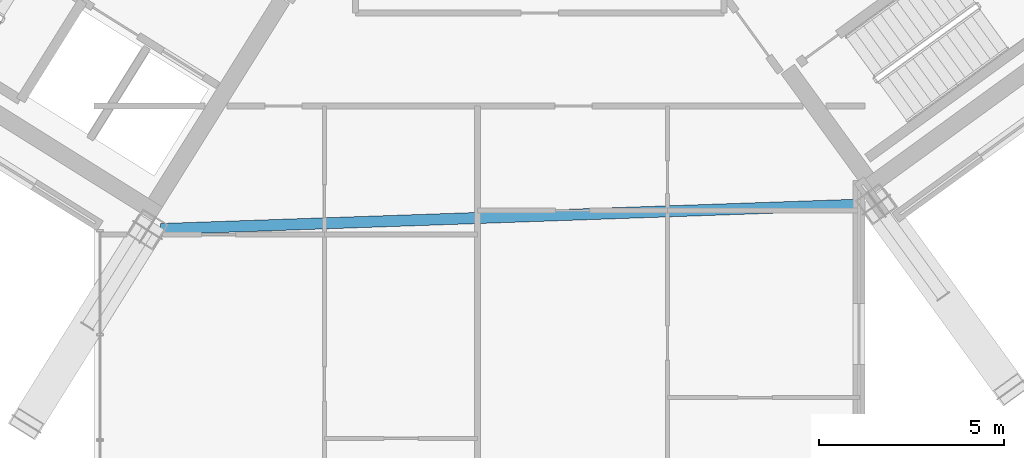
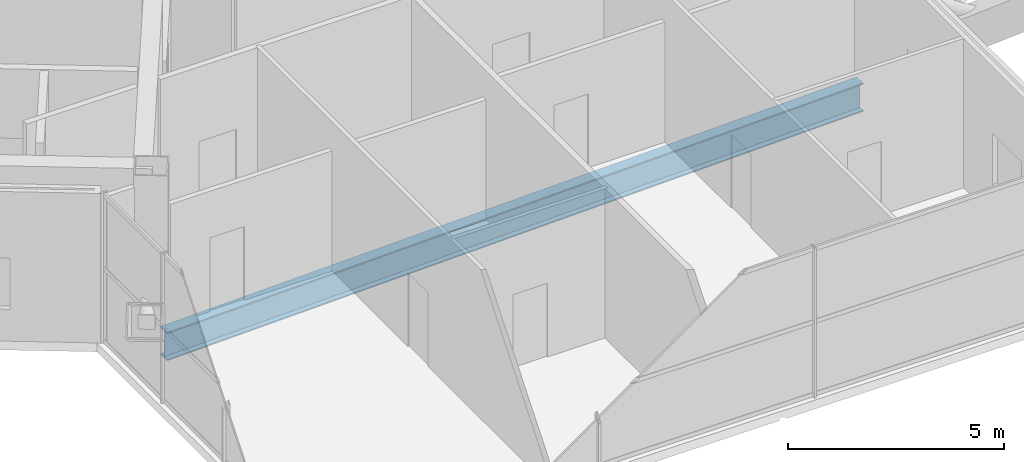
# One storey, part 10 of 34: 1 beam.
"""IFC4 building model written with IfcOpenShell, lengths in metres."""

from ifc_helpers import new_model, si_unit, direction, frame, origin, origin_2d, place, context, subcontext, project, spatial, i_section, extrude, source, transform, mapped, material, material_profile, profile_set, type_object, element, save


model = new_model("IFC4")

# Units and contexts
model_context = context("Model", 3, precision=1e-05, world=origin(), true_north=direction((0.0, 1.0)))
body_context = subcontext(model_context, "Body", "Model", "MODEL_VIEW")
ifc_project = project(units=[si_unit("LENGTHUNIT", "METRE"), si_unit("AREAUNIT", "SQUARE_METRE"), si_unit("VOLUMEUNIT", "CUBIC_METRE"), si_unit("PLANEANGLEUNIT", "RADIAN"), si_unit("MASSUNIT", "GRAM", prefix="KILO")], contexts=[model_context])

# Site, building, storey
site_placement = place(None, origin())
site = spatial("IfcSite", under=ifc_project, at=site_placement, CompositionType="ELEMENT")
building_placement = place(site_placement, origin())
building = spatial("IfcBuilding", under=site, at=building_placement, Name="Tlacorven Tower", CompositionType="ELEMENT")
storey_placement = place(building_placement, frame((0.0, 0.0, 229.199951171875)))
storey = spatial("IfcBuildingStorey", under=building, at=storey_placement, Name="L58", CompositionType="ELEMENT", Elevation=229.199951171875)

# Beam
ifc_material = material(Name="Steel S355J2", Category="steel")
ifc_material_profile = material_profile(ifc_material, i_section(OverallWidth=0.300048828125, OverallDepth=0.800048828125, WebThickness=0.017578125, FlangeThickness=0.032958984375, at=origin_2d()), Name="HEB 800")
ifc_profile_set = profile_set([ifc_material_profile], Name="Steel S355J2")
beam_type = type_object("IfcBeamType", Name="BM-POD-800", PredefinedType="BEAM", material=ifc_profile_set)
shared_shape = source(origin(), body_context, "Body", "SweptSolid", [
    extrude(i_section(OverallWidth=0.300048828125, OverallDepth=0.800048828125, WebThickness=0.017578125, FlangeThickness=0.032958984375, at=origin_2d()), origin(), (0.0, 0.0, 1.0), 18.97119140625),
])
beam_placement = place(storey_placement, frame((33.39599609375, 12.09912109375, -0.64990234375), z_axis=(0.999390787537, 0.034900627304, 0.0), x_axis=(-0.034900627304, 0.999390787537, 0.0)))
element("IfcBeam", 1, at=beam_placement, inside=storey, type_object=beam_type, Name="L58 Knuckle Link Girder 2", PredefinedType="BEAM", context=body_context, shape_type="MappedRepresentation", body=[
    mapped(shared_shape, transform((0.0, 0.0, 0.0), scale=1.0)),
])

save(model, "model.ifc")
